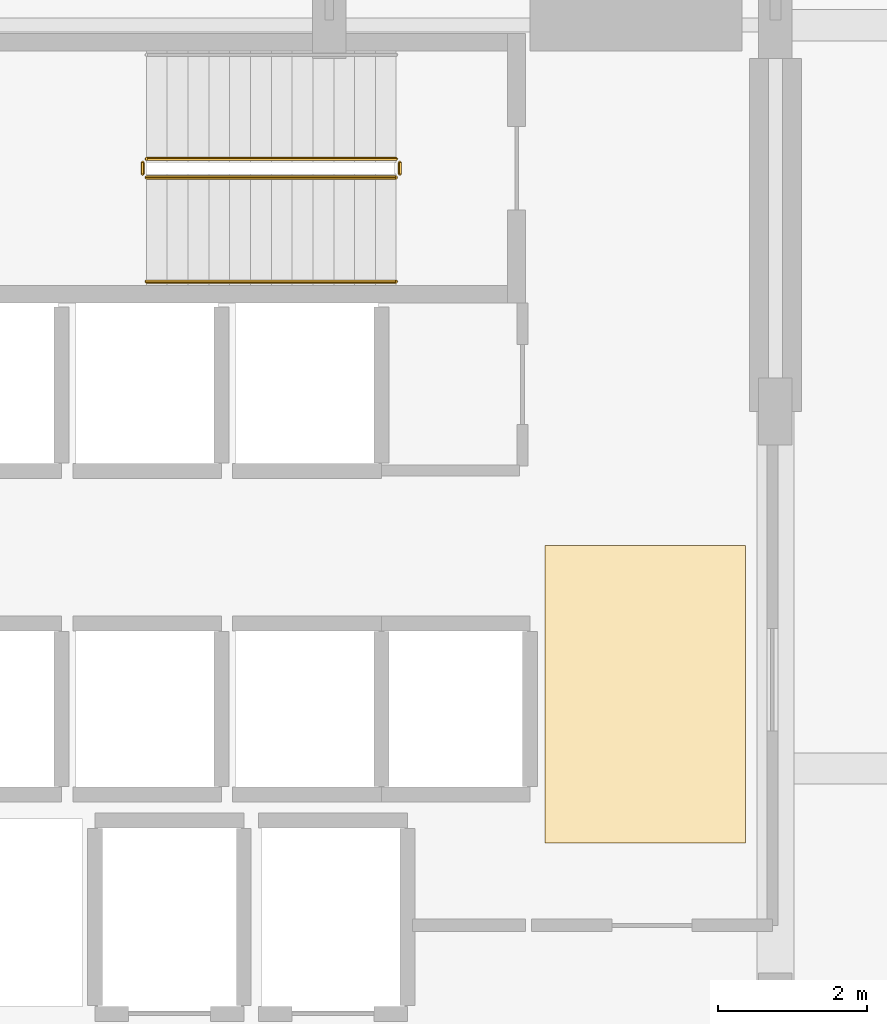
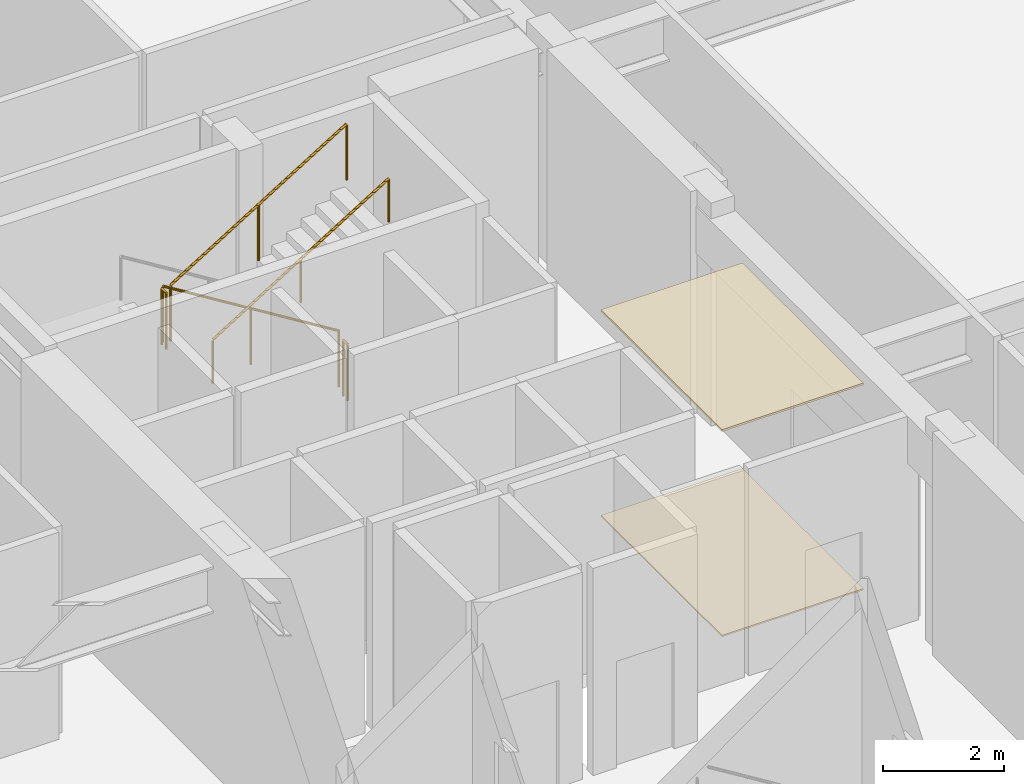
# One storey, part 26 of 28: 5 railings, 2 coverings.
"""IFC4 building model written with IfcOpenShell, lengths in metres."""

from ifc_helpers import new_model, si_unit, direction, frame, origin, origin_2d, place, context, subcontext, project, spatial, polyline, circle, outline, extrude, material, layer, layer_set, type_object, element, save


model = new_model("IFC4")

# Units and contexts
model_context = context("Model", 3, precision=1e-05, world=origin(), true_north=direction((0.0, 1.0)))
body_context = subcontext(model_context, "Body", "Model", "MODEL_VIEW")
ifc_project = project(units=[si_unit("LENGTHUNIT", "METRE"), si_unit("AREAUNIT", "SQUARE_METRE"), si_unit("VOLUMEUNIT", "CUBIC_METRE"), si_unit("PLANEANGLEUNIT", "RADIAN"), si_unit("MASSUNIT", "GRAM", prefix="KILO")], contexts=[model_context])

# Site, building, storey
site_placement = place(None, origin())
site = spatial("IfcSite", under=ifc_project, at=site_placement, CompositionType="ELEMENT")
building_placement = place(site_placement, origin())
building = spatial("IfcBuilding", under=site, at=building_placement, Name="Soratama Intermodal Tower", CompositionType="ELEMENT")
storey_placement = place(building_placement, frame((0.0, 0.0, 16.199951171875)))
storey = spatial("IfcBuildingStorey", under=building, at=storey_placement, Name="L03", CompositionType="ELEMENT", Elevation=16.199951171875)

# Coverings
ifc_material_1 = material(Name="Perforated mineral acoustic ceiling", Category="concrete")
ifc_layer_1 = layer(ifc_material_1, 0.0400390625)
ifc_layer_set_1 = layer_set([ifc_layer_1], Name="Perforated mineral acoustic ceiling")
covering_type_1 = type_object("IfcCoveringType", Name="CV-CEIL-ACOUSTIC", PredefinedType="CEILING", material=ifc_layer_set_1)
covering_1_placement = place(storey_placement, frame((0.0, 0.0, 4.14013671875)))
element("IfcCovering", 1, at=covering_1_placement, inside=storey, type_object=covering_type_1, Name="L03 Acoustic Ceiling", PredefinedType="CEILING", context=body_context, shape_type="SweptSolid", body=[
    extrude(outline(polyline([(41.5, 24.0), (44.199951171875, 24.0), (44.199951171875, 28.0), (41.5, 28.0), (41.5, 24.0)])), origin(), (0.0, 0.0, 1.0), 0.039794921875),
])
ifc_material_2 = material(Name="Polished Andean stone terrazzo flooring", Category="masonry")
ifc_layer_2 = layer(ifc_material_2, 0.030029296875)
ifc_layer_set_2 = layer_set([ifc_layer_2], Name="Polished Andean stone terrazzo flooring")
covering_type_2 = type_object("IfcCoveringType", Name="CV-FLOR-TERRAZZO", PredefinedType="FLOORING", material=ifc_layer_set_2)
covering_2_placement = place(storey_placement, origin())
element("IfcCovering", 2, at=covering_2_placement, inside=storey, type_object=covering_type_2, Name="L03 Lobby Terrazzo Flooring", PredefinedType="FLOORING", context=body_context, shape_type="SweptSolid", body=[
    extrude(outline(polyline([(41.5, 24.0), (44.199951171875, 24.0), (44.199951171875, 28.0), (41.5, 28.0), (41.5, 24.0)])), origin(), (0.0, 0.0, 1.0), 0.030029296875),
])

# Railings
ifc_material_3 = material(Name="Painted steel stair guardrail", Category="steel")
railing_type_1 = type_object("IfcRailingType", Name="RL-STAIR-GUARD", PredefinedType="GUARDRAIL", material=ifc_material_3)
railing_1_placement = place(storey_placement, frame((39.5, 33.199951171875, 0.173095703125)))
element("IfcRailing", 3, at=railing_1_placement, inside=storey, type_object=railing_type_1, Name="L03 ST-2 stair guard 1", PredefinedType="GUARDRAIL", context=body_context, shape_type="SweptSolid", body=[
    extrude(circle(Radius=0.02392578125, at=origin_2d()), frame((0.0, 0.0, 1.1259765625), z_axis=(-0.850623216509, 0.0, 0.525775754039), x_axis=(0.0, -1.0, 0.0)), (0.0, 0.0, 1.0), 3.9501953125),
    extrude(circle(Radius=0.02099609375, at=origin_2d()), origin(), (0.0, 0.0, 1.0), 1.101806640625),
    extrude(circle(Radius=0.02099609375, at=origin_2d()), frame((-1.68017578125, 0.0, 1.03857421875)), (0.0, 0.0, 1.0), 1.101806640625),
    extrude(circle(Radius=0.02099609375, at=origin_2d()), frame((-3.360107421875, 0.0, 2.076904296875)), (0.0, 0.0, 1.0), 1.101806640625),
])
railing_2_placement = place(storey_placement, frame((36.090087890625, 33.14990234375, 2.25)))
element("IfcRailing", 4, at=railing_2_placement, inside=storey, type_object=railing_type_1, Name="L03 ST-2 stair guard 2", PredefinedType="GUARDRAIL", context=body_context, shape_type="SweptSolid", body=[
    extrude(circle(Radius=0.02392578125, at=origin_2d()), frame((0.0, 0.0, 1.1259765625), z_axis=(0.0, -1.0, 0.0), x_axis=(1.0, 0.0, 0.0)), (0.0, 0.0, 1.0), 0.14990234375),
    extrude(circle(Radius=0.02099609375, at=origin_2d()), origin(), (0.0, 0.0, 1.0), 1.101806640625),
    extrude(circle(Radius=0.02099609375, at=origin_2d()), frame((0.0, -0.14990234375, 0.0)), (0.0, 0.0, 1.0), 1.101806640625),
])
railing_3_placement = place(storey_placement, frame((36.139892578125, 32.949951171875, 2.423095703125)))
element("IfcRailing", 5, at=railing_3_placement, inside=storey, type_object=railing_type_1, Name="L03 ST-2 stair guard 3", PredefinedType="GUARDRAIL", context=body_context, shape_type="SweptSolid", body=[
    extrude(circle(Radius=0.02392578125, at=origin_2d()), frame((0.0, 0.0, 1.1259765625), z_axis=(0.850623216509, 0.0, 0.525775754039), x_axis=(0.0, 1.0, 0.0)), (0.0, 0.0, 1.0), 3.9501953125),
    extrude(circle(Radius=0.02099609375, at=origin_2d()), origin(), (0.0, 0.0, 1.0), 1.101806640625),
    extrude(circle(Radius=0.02099609375, at=origin_2d()), frame((1.68017578125, 0.0, 1.03857421875)), (0.0, 0.0, 1.0), 1.101806640625),
    extrude(circle(Radius=0.02099609375, at=origin_2d()), frame((3.360107421875, 0.0, 2.076904296875)), (0.0, 0.0, 1.0), 1.101806640625),
])
railing_4_placement = place(storey_placement, frame((39.550048828125, 33.14990234375, 0.0)))
element("IfcRailing", 6, at=railing_4_placement, inside=storey, type_object=railing_type_1, Name="L03 ST-2 stair guard 4", PredefinedType="GUARDRAIL", context=body_context, shape_type="SweptSolid", body=[
    extrude(circle(Radius=0.02392578125, at=origin_2d()), frame((0.0, 0.0, 1.1259765625), z_axis=(0.0, -1.0, 0.0), x_axis=(1.0, 0.0, 0.0)), (0.0, 0.0, 1.0), 0.14990234375),
    extrude(circle(Radius=0.02099609375, at=origin_2d()), origin(), (0.0, 0.0, 1.0), 1.101806640625),
    extrude(circle(Radius=0.02099609375, at=origin_2d()), frame((0.0, -0.14990234375, 0.0)), (0.0, 0.0, 1.0), 1.101806640625),
])
ifc_material_4 = material(Name="Brushed stainless steel handrail", Category="steel")
railing_type_2 = type_object("IfcRailingType", Name="RL-STAIR-HAND", PredefinedType="HANDRAIL", material=ifc_material_4)
railing_5_placement = place(storey_placement, frame((36.139892578125, 31.550048828125, 2.423095703125)))
element("IfcRailing", 7, at=railing_5_placement, inside=storey, type_object=railing_type_2, Name="L03 ST-2 stair handrail 2", PredefinedType="HANDRAIL", context=body_context, shape_type="SweptSolid", body=[
    extrude(circle(Radius=0.02392578125, at=origin_2d()), frame((0.0, 0.0, 0.8759765625), z_axis=(0.850623216509, 0.0, 0.525775754039), x_axis=(0.0, 1.0, 0.0)), (0.0, 0.0, 1.0), 3.9501953125),
    extrude(circle(Radius=0.02099609375, at=origin_2d()), origin(), (0.0, 0.0, 1.0), 0.851806640625),
    extrude(circle(Radius=0.02099609375, at=origin_2d()), frame((1.68017578125, 0.0, 1.03857421875)), (0.0, 0.0, 1.0), 0.851806640625),
    extrude(circle(Radius=0.02099609375, at=origin_2d()), frame((3.360107421875, 0.0, 2.076904296875)), (0.0, 0.0, 1.0), 0.851806640625),
])

save(model, "model.ifc")
